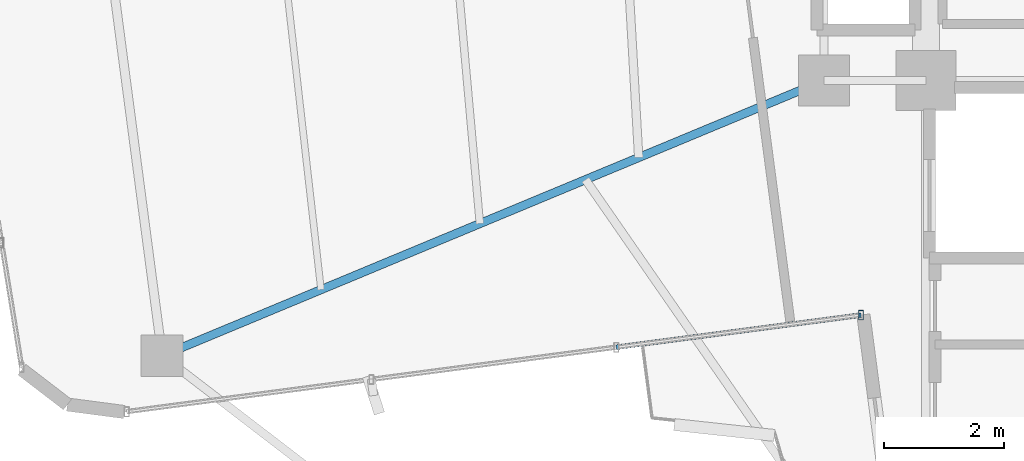
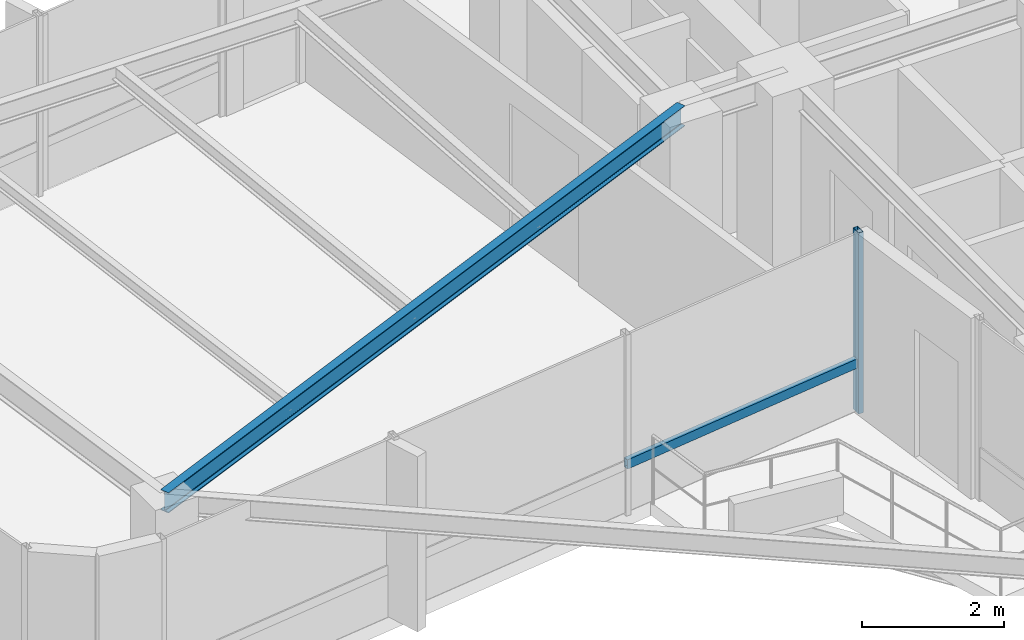
# One storey, part 3 of 22: 2 members, 1 beam, 1 element without a shape of its own.
"""IFC4 building model written with IfcOpenShell, lengths in metres."""

from ifc_helpers import new_model, si_unit, direction, frame, origin, origin_2d, place, context, subcontext, project, spatial, hollow_rectangle, i_section, extrude, source, transform, mapped, material, material_profile, profile_set, type_object, element, aggregate, save


model = new_model("IFC4")

# Units and contexts
model_context = context("Model", 3, precision=1e-05, world=origin(), true_north=direction((0.0, 1.0)))
body_context = subcontext(model_context, "Body", "Model", "MODEL_VIEW")
ifc_project = project(units=[si_unit("LENGTHUNIT", "METRE"), si_unit("AREAUNIT", "SQUARE_METRE"), si_unit("VOLUMEUNIT", "CUBIC_METRE"), si_unit("PLANEANGLEUNIT", "RADIAN"), si_unit("MASSUNIT", "GRAM", prefix="KILO")], contexts=[model_context])

# Site, building, storey
site_placement = place(None, origin())
site = spatial("IfcSite", under=ifc_project, at=site_placement, CompositionType="ELEMENT")
building_placement = place(site_placement, origin())
building = spatial("IfcBuilding", under=site, at=building_placement, Name="Sahyath Konkavel Grand Hotel", CompositionType="ELEMENT")
storey_placement = place(building_placement, frame((0.0, 0.0, 237.800048828125)))
storey = spatial("IfcBuildingStorey", under=building, at=storey_placement, Name="L66", CompositionType="ELEMENT", Elevation=237.800048828125)

# Beam
ifc_material_1 = material(Name="Steel E350", Category="steel")
ifc_material_profile_1 = material_profile(ifc_material_1, i_section(OverallWidth=0.139892578125, OverallDepth=0.35009765625, WebThickness=0.008056640625, FlangeThickness=0.01416015625, FilletRadius=0.013916015625, at=origin_2d()), Name="ISMB 350")
ifc_profile_set_1 = profile_set([ifc_material_profile_1], Name="Steel E350")
beam_type = type_object("IfcBeamType", Name="BM-ISMB350", PredefinedType="BEAM", material=ifc_profile_set_1)
shared_shape_1 = source(origin(), body_context, "Body", "SweptSolid", [
    extrude(i_section(OverallWidth=0.139892578125, OverallDepth=0.35009765625, WebThickness=0.008056640625, FlangeThickness=0.01416015625, FilletRadius=0.013916015625, at=origin_2d()), origin(), (0.0, 0.0, 1.0), 11.966064453125),
])
beam_placement = place(storey_placement, frame((-5.5, -2.39990234375, 2.93505859375), z_axis=(-0.923332057402, -0.38400248928, 0.0), x_axis=(0.38400248928, -0.923332057402, 0.0)))
element("IfcBeam", 1, at=beam_placement, inside=storey, type_object=beam_type, Name="L66 Cruciform Radial Girder WB", PredefinedType="BEAM", context=body_context, shape_type="MappedRepresentation", body=[
    mapped(shared_shape_1, transform((0.0, 0.0, 0.0), scale=1.0)),
])

# Curtain wall, members
ifc_material_2 = material(Name="Anodised Bronze Aluminium & Low-E Glazing", Category="aluminium")
curtain_wall_type = type_object("IfcCurtainWallType", Name="CW-ZONE4", PredefinedType="NOTDEFINED", material=ifc_material_2)
curtain_wall_placement = place(storey_placement, origin())
curtain_wall = element("IfcCurtainWall", 2, at=curtain_wall_placement, inside=storey, type_object=curtain_wall_type, Name="L66 Unitised Curtain Wall F23", PredefinedType="NOTDEFINED")
ifc_material_3 = material(Name="Anodised Bronze Aluminium", Category="aluminium")
ifc_material_profile_2 = material_profile(ifc_material_3, hollow_rectangle(XDim=0.080078125, YDim=0.159912109375, WallThickness=0.006103515625, at=origin_2d()), Name="RHS 160x80x6")
ifc_profile_set_2 = profile_set([ifc_material_profile_2], Name="Anodised Bronze Aluminium")
member_type_1 = type_object("IfcMemberType", Name="CW-MUL-160", PredefinedType="MULLION", material=ifc_profile_set_2)
shared_shape_2 = source(origin(), body_context, "Body", "SweptSolid", [
    extrude(hollow_rectangle(XDim=0.080078125, YDim=0.159912109375, WallThickness=0.006103515625, at=origin_2d()), origin(), (0.0, 0.0, 1.0), 3.10986328125),
])
member_1_placement = place(storey_placement, frame((-4.88232421875, -6.31640625, 0.0), z_axis=(0.0, 0.0, 1.0), x_axis=(1.0, 0.0, 0.0)))
member_1 = element("IfcMember", 3, at=member_1_placement, type_object=member_type_1, Name="L66 Curtain Wall Mullion F23-3", PredefinedType="MULLION", context=body_context, shape_type="MappedRepresentation", body=[
    mapped(shared_shape_2, transform((0.0, 0.0, 0.0), scale=1.0)),
])
ifc_material_profile_3 = material_profile(ifc_material_3, hollow_rectangle(XDim=0.080078125, YDim=0.159912109375, WallThickness=0.006103515625, at=origin_2d()), Name="RHS 160x80x6")
ifc_profile_set_3 = profile_set([ifc_material_profile_3], Name="Anodised Bronze Aluminium")
member_type_2 = type_object("IfcMemberType", Name="CW-TRN-160", PredefinedType="USERDEFINED", material=ifc_profile_set_3)
shared_shape_3 = source(origin(), body_context, "Body", "SweptSolid", [
    extrude(hollow_rectangle(XDim=0.080078125, YDim=0.159912109375, WallThickness=0.006103515625, at=origin_2d()), origin(), (0.0, 0.0, 1.0), 4.12158203125),
])
member_2_placement = place(storey_placement, frame((-8.96875, -6.854248046875, 0.849853515625), z_axis=(0.991449456185, 0.130491286413, 0.0), x_axis=(-0.130491286413, 0.991449456185, 0.0)))
member_2 = element("IfcMember", 4, at=member_2_placement, type_object=member_type_2, Name="L66 Curtain Wall Transom F23-2-spandrel", ObjectType="TRANSOM", PredefinedType="USERDEFINED", context=body_context, shape_type="MappedRepresentation", body=[
    mapped(shared_shape_3, transform((0.0, 0.0, 0.0), scale=1.0)),
])
aggregate(curtain_wall, [member_1, member_2])

save(model, "model.ifc")
